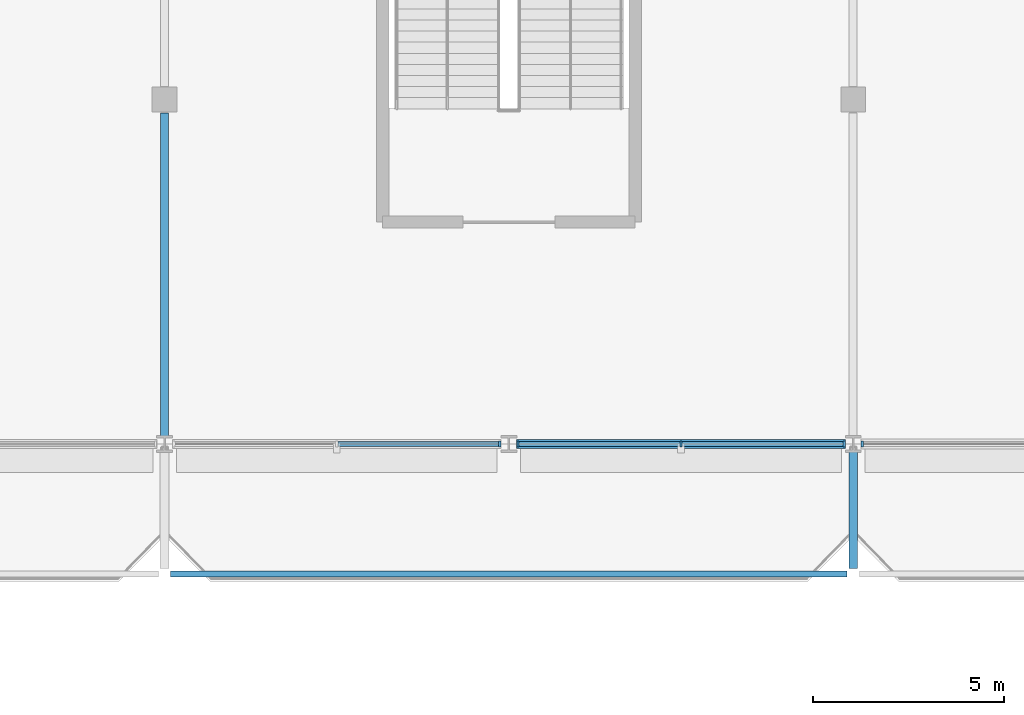
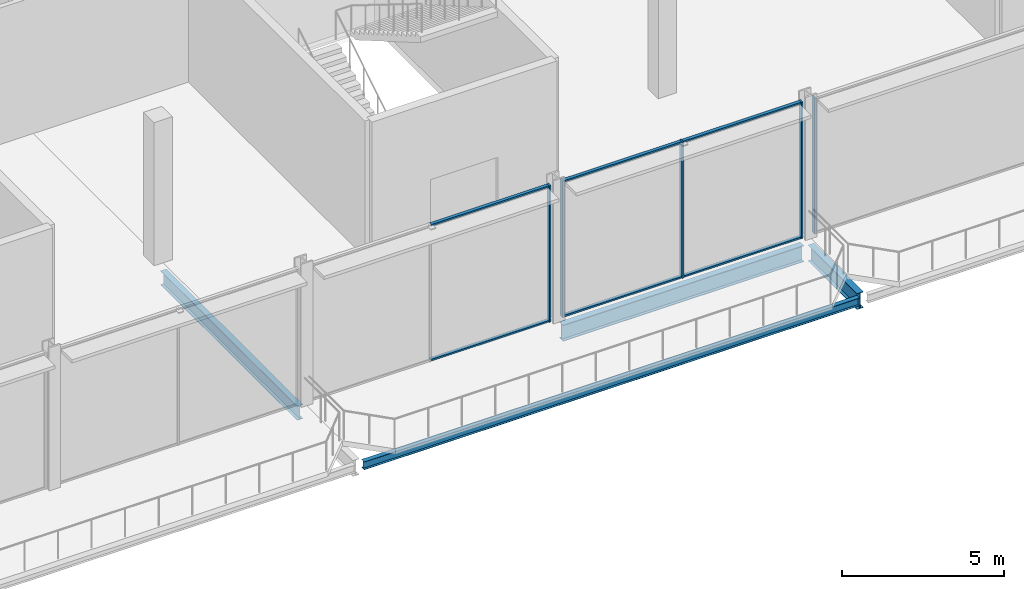
# One storey, part 38 of 113: 11 members, 4 beams, 3 elements without a shape of their own.
"""IFC4 building model written with IfcOpenShell, lengths in metres."""

from ifc_helpers import new_model, si_unit, direction, frame, origin, origin_2d, place, context, subcontext, project, spatial, rectangle, i_section, extrude, material, layer, layer_set, material_profile, profile_set, type_object, element, aggregate, save


model = new_model("IFC4")

# Units and contexts
model_context = context("Model", 3, precision=1e-05, world=origin(), true_north=direction((0.0, 1.0)))
body_context = subcontext(model_context, "Body", "Model", "MODEL_VIEW")
ifc_project = project(units=[si_unit("LENGTHUNIT", "METRE"), si_unit("AREAUNIT", "SQUARE_METRE"), si_unit("VOLUMEUNIT", "CUBIC_METRE"), si_unit("PLANEANGLEUNIT", "RADIAN"), si_unit("MASSUNIT", "GRAM", prefix="KILO")], contexts=[model_context])

# Site, building, storey
site_placement = place(None, origin())
site = spatial("IfcSite", under=ifc_project, at=site_placement, CompositionType="ELEMENT")
building_placement = place(site_placement, origin())
building = spatial("IfcBuilding", under=site, at=building_placement, Name="Kisiwana Market Hall", CompositionType="ELEMENT")
storey_placement = place(building_placement, frame((0.0, 0.0, 6.0)))
storey = spatial("IfcBuildingStorey", under=building, at=storey_placement, Name="L01", CompositionType="ELEMENT", Elevation=6.0)

# Beams
ifc_material_1 = material(Name="Steel S355", Category="steel")
ifc_material_profile_1 = material_profile(ifc_material_1, i_section(OverallWidth=0.2275390625, OverallDepth=0.6025390625, WebThickness=0.010498046875, FlangeThickness=0.014892578125, at=origin_2d()), Name="UB 610x229x101")
ifc_profile_set_1 = profile_set([ifc_material_profile_1], Name="Steel S355")
beam_type_1 = type_object("IfcBeamType", Name="BM-CANT-PROW", PredefinedType="BEAM", material=ifc_profile_set_1)
beam_1_placement = place(storey_placement, frame((117.0, 83.78662109375, -0.501220703125), z_axis=(0.0, -1.0, 0.0), x_axis=(1.0, 0.0, 0.0)))
element("IfcBeam", 1, at=beam_1_placement, inside=storey, type_object=beam_type_1, Name="Gallery prow girder B-0590", PredefinedType="BEAM", context=body_context, shape_type="SweptSolid", body=[
    extrude(i_section(OverallWidth=0.2275390625, OverallDepth=0.6025390625, WebThickness=0.010498046875, FlangeThickness=0.014892578125, at=origin_2d()), origin(), (0.0, 0.0, 1.0), 3.03662109375),
])
ifc_material_2 = material(Name="Steel S355", Category="steel")
ifc_material_profile_2 = material_profile(ifc_material_2, i_section(OverallWidth=0.209228515625, OverallDepth=0.533203125, WebThickness=0.010009765625, FlangeThickness=0.015625, at=origin_2d()), Name="UB 533x210x92")
ifc_profile_set_2 = profile_set([ifc_material_profile_2], Name="Steel S355")
beam_type_2 = type_object("IfcBeamType", Name="BM-GIRD-UB533", PredefinedType="BEAM", material=ifc_profile_set_2)
beam_2_placement = place(storey_placement, frame((99.0, 84.21337890625, -0.5166015625), z_axis=(0.0, 1.0, 0.0), x_axis=(-1.0, 0.0, 0.0)))
element("IfcBeam", 2, at=beam_2_placement, inside=storey, type_object=beam_type_2, Name="Primary girder B-0376", PredefinedType="BEAM", context=body_context, shape_type="SweptSolid", body=[
    extrude(i_section(OverallWidth=0.209228515625, OverallDepth=0.533203125, WebThickness=0.010009765625, FlangeThickness=0.015625, at=origin_2d()), origin(), (0.0, 0.0, 1.0), 8.440673828125),
])
ifc_material_3 = material(Name="Steel S355", Category="steel")
ifc_material_profile_3 = material_profile(ifc_material_3, i_section(OverallWidth=0.22900390625, OverallDepth=0.6123046875, WebThickness=0.011962890625, FlangeThickness=0.01953125, at=origin_2d()), Name="UB 610x229x125")
ifc_profile_set_3 = profile_set([ifc_material_profile_3], Name="Steel S355")
beam_type_3 = type_object("IfcBeamType", Name="BM-GIRD-UB610H", PredefinedType="BEAM", material=ifc_profile_set_3)
beam_3_placement = place(storey_placement, frame((108.201904296875, 84.0, -0.55615234375), z_axis=(1.0, 0.0, 0.0), x_axis=(0.0, 1.0, 0.0)))
element("IfcBeam", 3, at=beam_3_placement, inside=storey, type_object=beam_type_3, Name="Floor beam B-0512", PredefinedType="BEAM", context=body_context, shape_type="SweptSolid", body=[
    extrude(i_section(OverallWidth=0.22900390625, OverallDepth=0.6123046875, WebThickness=0.011962890625, FlangeThickness=0.01953125, at=origin_2d()), origin(), (0.0, 0.0, 1.0), 8.59619140625),
])
ifc_material_4 = material(Name="Steel S355", Category="steel")
ifc_material_profile_4 = material_profile(ifc_material_4, i_section(OverallWidth=0.1650390625, OverallDepth=0.303466796875, WebThickness=0.006103515625, FlangeThickness=0.01025390625, at=origin_2d()), Name="UB 305x165x40")
ifc_profile_set_4 = profile_set([ifc_material_profile_4], Name="Steel S355")
beam_type_4 = type_object("IfcBeamType", Name="BM-JOIST-UB305", PredefinedType="JOIST", material=ifc_profile_set_4)
beam_4_placement = place(storey_placement, frame((99.159912109375, 80.60009765625, -0.351806640625), z_axis=(1.0, 0.0, 0.0), x_axis=(0.0, 1.0, 0.0)))
element("IfcBeam", 4, at=beam_4_placement, inside=storey, type_object=beam_type_4, Name="Prow edge tie B-0592", PredefinedType="JOIST", context=body_context, shape_type="SweptSolid", body=[
    extrude(i_section(OverallWidth=0.1650390625, OverallDepth=0.303466796875, WebThickness=0.006103515625, FlangeThickness=0.01025390625, at=origin_2d()), origin(), (0.0, 0.0, 1.0), 17.68017578125),
])

# Curtain wall, member
ifc_material_5 = material(Name="Double-glazed solar-control low-E IGU", Category="glass")
ifc_layer = layer(ifc_material_5, 0.159912109375)
ifc_layer_set = layer_set([ifc_layer], Name="CW-FC-S-7600")
curtain_wall_type = type_object("IfcCurtainWallType", Name="CW-FC-S-7600", PredefinedType="USERDEFINED", material=ifc_layer_set)
curtain_wall_1_placement = place(storey_placement, origin())
curtain_wall_1 = element("IfcCurtainWall", 5, at=curtain_wall_1_placement, inside=storey, type_object=curtain_wall_type, Name="Unitised curtain wall CW-029 (L01)", ObjectType="UNITISED CURTAIN WALL", PredefinedType="USERDEFINED")
ifc_material_6 = material(Name="Aluminium alloy 6063-T6", Category="aluminium")
ifc_material_profile_5 = material_profile(ifc_material_6, rectangle(XDim=0.06005859375, YDim=0.159912109375, at=origin_2d()), Name="ALU MULLION 60x160")
ifc_profile_set_5 = profile_set([ifc_material_profile_5], Name="Aluminium alloy 6063-T6")
member_type_1 = type_object("IfcMemberType", Name="CW-MULL-60x160", PredefinedType="MULLION", material=ifc_profile_set_5)
member_1_placement = place(storey_placement, frame((107.763916015625, 84.0, 0.0), z_axis=(0.0, 0.0, 1.0), x_axis=(1.0, 0.0, 0.0)))
member_1 = element("IfcMember", 6, at=member_1_placement, type_object=member_type_1, Name="CW-029 mullion 3", PredefinedType="MULLION", context=body_context, shape_type="SweptSolid", body=[
    extrude(rectangle(XDim=0.06005859375, YDim=0.159912109375, at=origin_2d()), origin(), (0.0, 0.0, 1.0), 5.14990234375),
])

# Curtain wall, members
curtain_wall_2_placement = place(storey_placement, origin())
curtain_wall_2 = element("IfcCurtainWall", 7, at=curtain_wall_2_placement, inside=storey, type_object=curtain_wall_type, Name="Unitised curtain wall CW-030 (L01)", ObjectType="UNITISED CURTAIN WALL", PredefinedType="USERDEFINED")
member_2_placement = place(storey_placement, frame((108.236083984375, 84.0, 0.0), z_axis=(0.0, 0.0, 1.0), x_axis=(1.0, 0.0, 0.0)))
member_2 = element("IfcMember", 8, at=member_2_placement, type_object=member_type_1, Name="CW-030 mullion 1", PredefinedType="MULLION", context=body_context, shape_type="SweptSolid", body=[
    extrude(rectangle(XDim=0.06005859375, YDim=0.159912109375, at=origin_2d()), origin(), (0.0, 0.0, 1.0), 5.14990234375),
])
member_3_placement = place(storey_placement, frame((112.5, 84.0, 0.0), z_axis=(0.0, 0.0, 1.0), x_axis=(1.0, 0.0, 0.0)))
member_3 = element("IfcMember", 9, at=member_3_placement, type_object=member_type_1, Name="CW-030 mullion 2", PredefinedType="MULLION", context=body_context, shape_type="SweptSolid", body=[
    extrude(rectangle(XDim=0.06005859375, YDim=0.159912109375, at=origin_2d()), origin(), (0.0, 0.0, 1.0), 5.14990234375),
])
member_4_placement = place(storey_placement, frame((116.763916015625, 84.0, 0.0), z_axis=(0.0, 0.0, 1.0), x_axis=(1.0, 0.0, 0.0)))
member_4 = element("IfcMember", 10, at=member_4_placement, type_object=member_type_1, Name="CW-030 mullion 3", PredefinedType="MULLION", context=body_context, shape_type="SweptSolid", body=[
    extrude(rectangle(XDim=0.06005859375, YDim=0.159912109375, at=origin_2d()), origin(), (0.0, 0.0, 1.0), 5.14990234375),
])

# Curtain wall, member
curtain_wall_3_placement = place(storey_placement, origin())
curtain_wall_3 = element("IfcCurtainWall", 11, at=curtain_wall_3_placement, inside=storey, type_object=curtain_wall_type, Name="Unitised curtain wall CW-031 (L01)", ObjectType="UNITISED CURTAIN WALL", PredefinedType="USERDEFINED")
member_5_placement = place(storey_placement, frame((117.236083984375, 84.0, 0.0), z_axis=(0.0, 0.0, 1.0), x_axis=(1.0, 0.0, 0.0)))
member_5 = element("IfcMember", 12, at=member_5_placement, type_object=member_type_1, Name="CW-031 mullion 1", PredefinedType="MULLION", context=body_context, shape_type="SweptSolid", body=[
    extrude(rectangle(XDim=0.06005859375, YDim=0.159912109375, at=origin_2d()), origin(), (0.0, 0.0, 1.0), 5.14990234375),
])
aggregate(curtain_wall_3, [member_5])

# Member
ifc_material_7 = material(Name="Aluminium alloy 6063-T6", Category="aluminium")
ifc_material_profile_6 = material_profile(ifc_material_7, rectangle(XDim=0.1201171875, YDim=0.06005859375, at=origin_2d()), Name="ALU TRANSOM 60x120")
ifc_profile_set_6 = profile_set([ifc_material_profile_6], Name="Aluminium alloy 6063-T6")
member_type_2 = type_object("IfcMemberType", Name="CW-TRAN-60x120", PredefinedType="USERDEFINED", material=ifc_profile_set_6)
member_6_placement = place(storey_placement, frame((103.530029296875, 84.0, 0.030029296875), z_axis=(1.0, 0.0, 0.0), x_axis=(0.0, 1.0, 0.0)))
member_6 = element("IfcMember", 13, at=member_6_placement, type_object=member_type_2, Name="CW-029 transom 2.1", ObjectType="TRANSOM", PredefinedType="USERDEFINED", context=body_context, shape_type="SweptSolid", body=[
    extrude(rectangle(XDim=0.1201171875, YDim=0.06005859375, at=origin_2d()), origin(), (0.0, 0.0, 1.0), 4.203857421875),
])

member_7_placement = place(storey_placement, frame((103.530029296875, 84.0, 5.1201171875), z_axis=(1.0, 0.0, 0.0), x_axis=(0.0, 1.0, 0.0)))
member_7 = element("IfcMember", 14, at=member_7_placement, type_object=member_type_2, Name="CW-029 transom 2.2", ObjectType="TRANSOM", PredefinedType="USERDEFINED", context=body_context, shape_type="SweptSolid", body=[
    extrude(rectangle(XDim=0.1201171875, YDim=0.06005859375, at=origin_2d()), origin(), (0.0, 0.0, 1.0), 4.203857421875),
])

aggregate(curtain_wall_1, [member_1, member_6, member_7])

member_8_placement = place(storey_placement, frame((108.26611328125, 84.0, 0.030029296875), z_axis=(1.0, 0.0, 0.0), x_axis=(0.0, 1.0, 0.0)))
member_8 = element("IfcMember", 15, at=member_8_placement, type_object=member_type_2, Name="CW-030 transom 1.1", ObjectType="TRANSOM", PredefinedType="USERDEFINED", context=body_context, shape_type="SweptSolid", body=[
    extrude(rectangle(XDim=0.1201171875, YDim=0.06005859375, at=origin_2d()), origin(), (0.0, 0.0, 1.0), 4.203857421875),
])

member_9_placement = place(storey_placement, frame((108.26611328125, 84.0, 5.1201171875), z_axis=(1.0, 0.0, 0.0), x_axis=(0.0, 1.0, 0.0)))
member_9 = element("IfcMember", 16, at=member_9_placement, type_object=member_type_2, Name="CW-030 transom 1.2", ObjectType="TRANSOM", PredefinedType="USERDEFINED", context=body_context, shape_type="SweptSolid", body=[
    extrude(rectangle(XDim=0.1201171875, YDim=0.06005859375, at=origin_2d()), origin(), (0.0, 0.0, 1.0), 4.203857421875),
])

member_10_placement = place(storey_placement, frame((112.530029296875, 84.0, 0.030029296875), z_axis=(1.0, 0.0, 0.0), x_axis=(0.0, 1.0, 0.0)))
member_10 = element("IfcMember", 17, at=member_10_placement, type_object=member_type_2, Name="CW-030 transom 2.1", ObjectType="TRANSOM", PredefinedType="USERDEFINED", context=body_context, shape_type="SweptSolid", body=[
    extrude(rectangle(XDim=0.1201171875, YDim=0.06005859375, at=origin_2d()), origin(), (0.0, 0.0, 1.0), 4.203857421875),
])

member_11_placement = place(storey_placement, frame((112.530029296875, 84.0, 5.1201171875), z_axis=(1.0, 0.0, 0.0), x_axis=(0.0, 1.0, 0.0)))
member_11 = element("IfcMember", 18, at=member_11_placement, type_object=member_type_2, Name="CW-030 transom 2.2", ObjectType="TRANSOM", PredefinedType="USERDEFINED", context=body_context, shape_type="SweptSolid", body=[
    extrude(rectangle(XDim=0.1201171875, YDim=0.06005859375, at=origin_2d()), origin(), (0.0, 0.0, 1.0), 4.203857421875),
])

aggregate(curtain_wall_2, [member_2, member_3, member_4, member_8, member_9, member_10, member_11])

save(model, "model.ifc")
